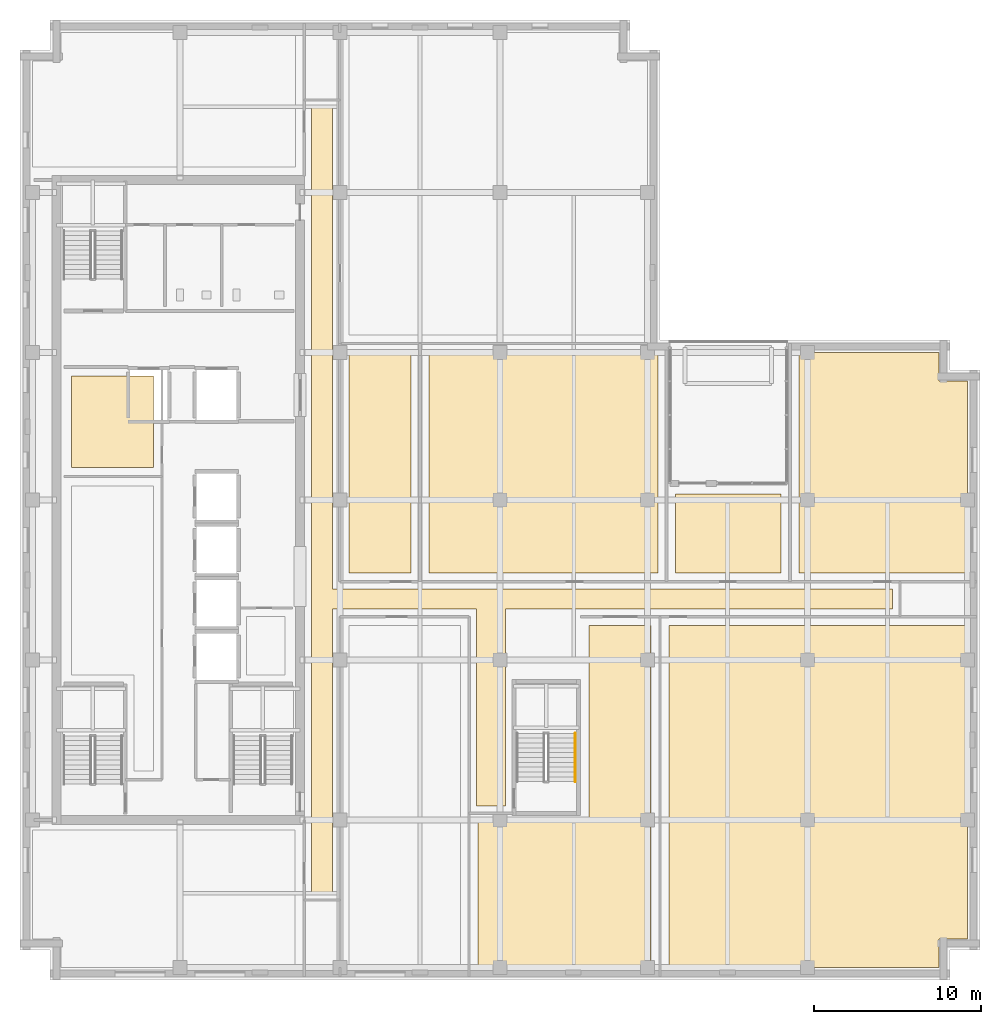
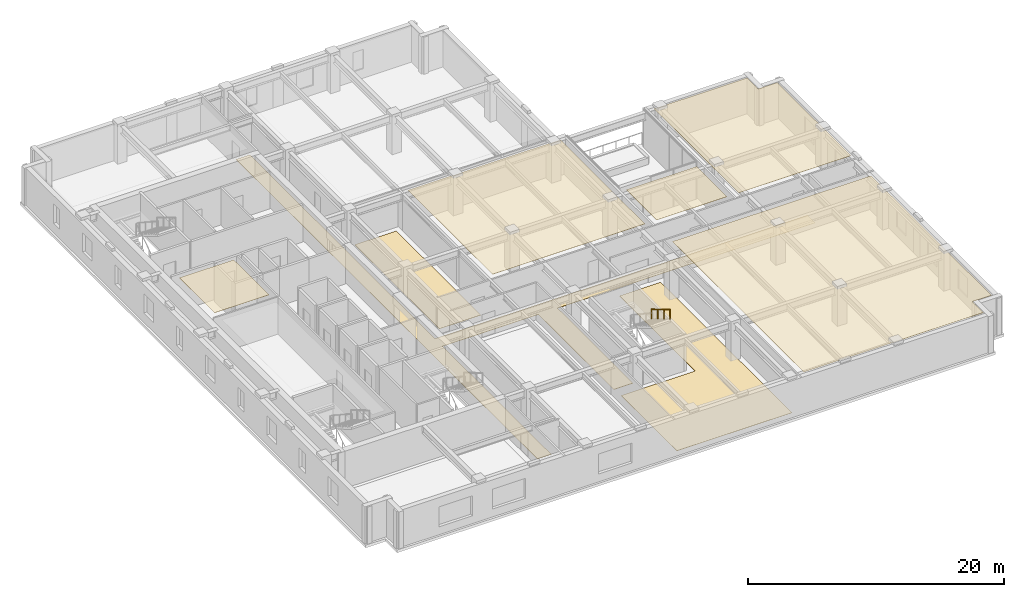
# One storey, part 11 of 14: 8 coverings, 1 railing.
"""IFC4 building model written with IfcOpenShell, lengths in metres."""

from ifc_helpers import new_model, si_unit, direction, frame, origin, origin_2d, place, context, subcontext, project, spatial, polyline, circle, outline, extrude, material, layer, layer_set, type_object, element, save


model = new_model("IFC4")

# Units and contexts
model_context = context("Model", 3, precision=1e-05, world=origin(), true_north=direction((0.0, 1.0)))
body_context = subcontext(model_context, "Body", "Model", "MODEL_VIEW")
ifc_project = project(units=[si_unit("LENGTHUNIT", "METRE"), si_unit("AREAUNIT", "SQUARE_METRE"), si_unit("VOLUMEUNIT", "CUBIC_METRE"), si_unit("PLANEANGLEUNIT", "RADIAN"), si_unit("MASSUNIT", "GRAM", prefix="KILO")], contexts=[model_context])

# Site, building, storey
site_placement = place(None, origin())
site = spatial("IfcSite", under=ifc_project, at=site_placement, CompositionType="ELEMENT")
building_placement = place(site_placement, origin())
building = spatial("IfcBuilding", under=site, at=building_placement, Name="Norrvale University Quadrangle", CompositionType="ELEMENT")
storey_placement = place(building_placement, frame((0.0, 0.0, 221.800048828125)))
storey = spatial("IfcBuildingStorey", under=building, at=storey_placement, Name="L56", CompositionType="ELEMENT", Elevation=221.800048828125)

# Coverings
ifc_material_1 = material(Name="Perforated Acoustic Mineral Ceiling")
ifc_layer_1 = layer(ifc_material_1, 0.02490234375, Name="Perforated Acoustic Mineral Ceiling")
ifc_layer_set_1 = layer_set([ifc_layer_1], Name="Perforated Acoustic Mineral Ceiling")
covering_type_1 = type_object("IfcCoveringType", Name="Covering Acoustic Ceiling 25", PredefinedType="CEILING", material=ifc_layer_set_1)
covering_1_placement = place(storey_placement, frame((0.0, 0.0, 3.514892578125)))
element("IfcCovering", 1, at=covering_1_placement, inside=storey, type_object=covering_type_1, Name="Acoustic Ceiling RM-L56-REC2", PredefinedType="CEILING", context=body_context, shape_type="SweptSolid", body=[
    extrude(outline(polyline([(3.10009765625, 30.75), (3.10009765625, 36.25), (8.0, 36.25), (8.0, 30.75), (3.10009765625, 30.75)])), origin(), (0.0, 0.0, 1.0), 0.025146484375),
])
covering_2_placement = place(storey_placement, frame((0.0, 0.0, 3.514892578125)))
element("IfcCovering", 2, at=covering_2_placement, inside=storey, type_object=covering_type_1, Name="Acoustic Ceiling RM-L56-SE3", PredefinedType="CEILING", context=body_context, shape_type="SweptSolid", body=[
    extrude(outline(polyline([(38.929931640625, 21.27001953125), (56.85009765625, 21.27001953125), (56.85009765625, 2.469970703125), (55.1298828125, 2.469970703125), (55.1298828125, 0.75), (38.929931640625, 0.75), (38.929931640625, 21.27001953125)])), origin(), (0.0, 0.0, 1.0), 0.025146484375),
])
covering_3_placement = place(storey_placement, frame((0.0, 0.0, 3.514892578125)))
element("IfcCovering", 3, at=covering_3_placement, inside=storey, type_object=covering_type_1, Name="Acoustic Ceiling RM-L56-ME02", PredefinedType="CEILING", context=body_context, shape_type="SweptSolid", body=[
    extrude(outline(polyline([(38.27001953125, 37.64990234375), (38.27001953125, 24.429931640625), (24.530029296875, 24.429931640625), (24.530029296875, 37.64990234375), (38.27001953125, 37.64990234375)])), origin(), (0.0, 0.0, 1.0), 0.025146484375),
])
covering_4_placement = place(storey_placement, frame((0.0, 0.0, 3.514892578125)))
element("IfcCovering", 4, at=covering_4_placement, inside=storey, type_object=covering_type_1, Name="Acoustic Ceiling RM-L56-ME03", PredefinedType="CEILING", context=body_context, shape_type="SweptSolid", body=[
    extrude(outline(polyline([(45.669921875, 24.429931640625), (39.330078125, 24.429931640625), (39.330078125, 29.169921875), (45.669921875, 29.169921875), (45.669921875, 24.429931640625)])), origin(), (0.0, 0.0, 1.0), 0.025146484375),
])
covering_5_placement = place(storey_placement, frame((0.0, 0.0, 3.514892578125)))
element("IfcCovering", 5, at=covering_5_placement, inside=storey, type_object=covering_type_1, Name="Acoustic Ceiling RM-L56-ME04", PredefinedType="CEILING", context=body_context, shape_type="SweptSolid", body=[
    extrude(outline(polyline([(46.72998046875, 24.429931640625), (46.72998046875, 37.64990234375), (55.1298828125, 37.64990234375), (55.1298828125, 35.929931640625), (56.85009765625, 35.929931640625), (56.85009765625, 24.429931640625), (46.72998046875, 24.429931640625)])), origin(), (0.0, 0.0, 1.0), 0.025146484375),
])
ifc_material_2 = material(Name="Polished Terrazzo Flooring")
ifc_layer_2 = layer(ifc_material_2, 0.02490234375, Name="Polished Terrazzo Flooring")
ifc_layer_set_2 = layer_set([ifc_layer_2], Name="Polished Terrazzo Flooring")
covering_type_2 = type_object("IfcCoveringType", Name="Covering Terrazzo Floor 30", PredefinedType="FLOORING", material=ifc_layer_set_2)
covering_6_placement = place(storey_placement, origin())
element("IfcCovering", 6, at=covering_6_placement, inside=storey, type_object=covering_type_2, Name="Terrazzo Flooring RM-L56-CORR1", PredefinedType="FLOORING", context=body_context, shape_type="SweptSolid", body=[
    extrude(outline(polyline([(17.5, 5.25), (17.5, 52.35009765625), (18.75, 52.35009765625), (18.75, 23.449951171875), (52.35009765625, 23.449951171875), (52.35009765625, 22.25), (29.1298828125, 22.25), (29.1298828125, 10.449951171875), (27.39990234375, 10.449951171875), (27.39990234375, 22.25), (18.75, 22.25), (18.75, 5.25), (17.5, 5.25)])), origin(), (0.0, 0.0, 1.0), 0.02490234375),
])
covering_7_placement = place(storey_placement, origin())
element("IfcCovering", 7, at=covering_7_placement, inside=storey, type_object=covering_type_2, Name="Terrazzo Flooring RM-L56-SE2", PredefinedType="FLOORING", context=body_context, shape_type="SweptSolid", body=[
    extrude(outline(polyline([(34.14990234375, 9.449951171875), (34.14990234375, 21.27001953125), (37.8701171875, 21.27001953125), (37.8701171875, 0.75), (27.47998046875, 0.75), (27.47998046875, 9.449951171875), (34.14990234375, 9.449951171875)])), origin(), (0.0, 0.0, 1.0), 0.02490234375),
])
covering_8_placement = place(storey_placement, origin())
element("IfcCovering", 8, at=covering_8_placement, inside=storey, type_object=covering_type_2, Name="Terrazzo Flooring RM-L56-ME01", PredefinedType="FLOORING", context=body_context, shape_type="SweptSolid", body=[
    extrude(outline(polyline([(23.469970703125, 37.64990234375), (23.469970703125, 24.429931640625), (19.72998046875, 24.429931640625), (19.72998046875, 37.64990234375), (23.469970703125, 37.64990234375)])), origin(), (0.0, 0.0, 1.0), 0.02490234375),
])

# Railing
ifc_material_3 = material(Name="Stainless Steel 316L Handrail", Category="steel")
railing_type = type_object("IfcRailingType", Name="Railing Stair Handrail 920", PredefinedType="HANDRAIL", material=ifc_material_3)
railing_placement = place(storey_placement, frame((33.31005859375, 14.800048828125, 2.07275390625)))
element("IfcRailing", 9, at=railing_placement, inside=storey, type_object=railing_type, Name="Stair Upper Flight Handrail ST-04 L56", PredefinedType="HANDRAIL", context=body_context, shape_type="SweptSolid", body=[
    extrude(circle(Radius=0.02392578125, at=origin_2d()), frame((0.0, 0.0, 0.89599609375), z_axis=(0.0, -0.859160404282, 0.51170636083), x_axis=(1.0, 0.0, 0.0)), (0.0, 0.0, 1.0), 3.37548828125),
    extrude(circle(Radius=0.02099609375, at=origin_2d()), origin(), (0.0, 0.0, 1.0), 0.871826171875),
    extrude(circle(Radius=0.02099609375, at=origin_2d()), frame((0.0, -0.966796875, 0.57568359375)), (0.0, 0.0, 1.0), 0.871826171875),
    extrude(circle(Radius=0.02099609375, at=origin_2d()), frame((0.0, -1.933349609375, 1.151611328125)), (0.0, 0.0, 1.0), 0.871826171875),
    extrude(circle(Radius=0.02099609375, at=origin_2d()), frame((0.0, -2.900146484375, 1.727294921875)), (0.0, 0.0, 1.0), 0.871826171875),
])

save(model, "model.ifc")
